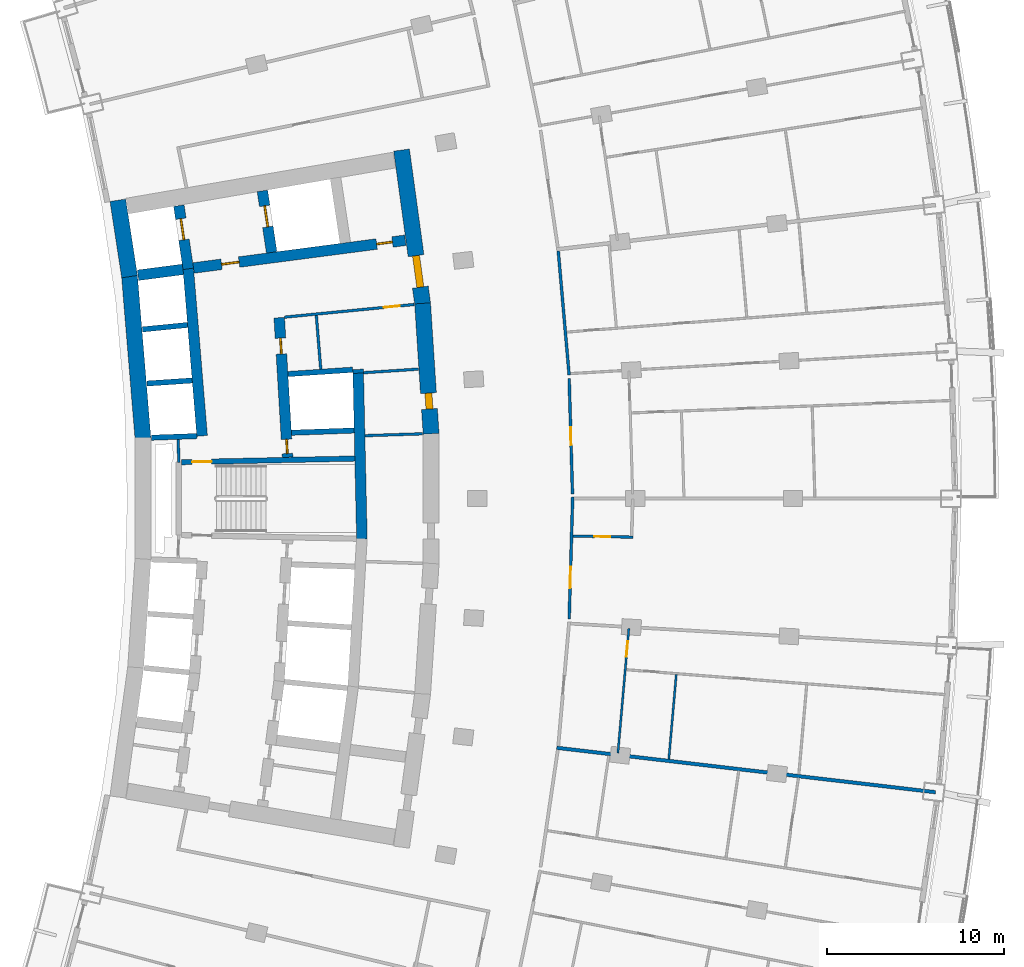
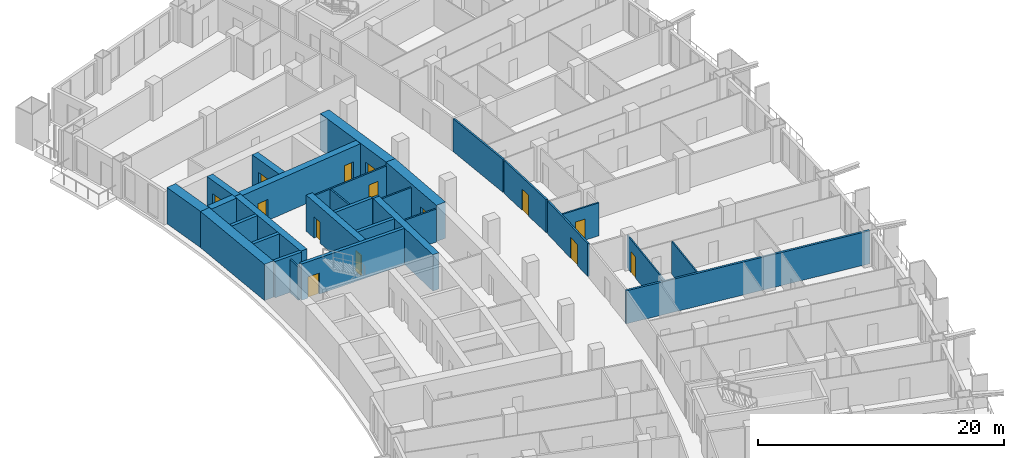
# One storey, part 17 of 25: 30 walls, 14 doors, 14 openings.
"""IFC4 building model written with IfcOpenShell, lengths in metres."""

from ifc_helpers import new_model, si_unit, direction, frame, frame_2d, origin, place, context, subcontext, project, spatial, rectangle, extrude, material, layer, layer_set, type_object, element, fill, save


model = new_model("IFC4")

# Units and contexts
model_context = context("Model", 3, precision=1e-05, world=origin(), true_north=direction((0.0, 1.0)))
body_context = subcontext(model_context, "Body", "Model", "MODEL_VIEW")
ifc_project = project(units=[si_unit("LENGTHUNIT", "METRE"), si_unit("AREAUNIT", "SQUARE_METRE"), si_unit("VOLUMEUNIT", "CUBIC_METRE"), si_unit("PLANEANGLEUNIT", "RADIAN"), si_unit("MASSUNIT", "GRAM", prefix="KILO")], contexts=[model_context])

# Site, building, storey
site_placement = place(None, origin())
site = spatial("IfcSite", under=ifc_project, at=site_placement, CompositionType="ELEMENT")
building_placement = place(site_placement, origin())
building = spatial("IfcBuilding", under=site, at=building_placement, Name="Alderwake Tower", CompositionType="ELEMENT")
storey_placement = place(building_placement, frame((0.0, 0.0, 57.199951171875)))
storey = spatial("IfcBuildingStorey", under=building, at=storey_placement, Name="L13", CompositionType="ELEMENT", Elevation=57.199951171875)

# Walls
ifc_material_1 = material(Name="Gypsum shaft wall system, rated")
ifc_layer_1 = layer(ifc_material_1, 0.14990234375)
ifc_layer_set_1 = layer_set([ifc_layer_1], Name="Core room partition 150")
wall_type_1 = type_object("IfcWallType", Name="Core room partition 150", PredefinedType="PARTITIONING", material=ifc_layer_set_1)
wall_1_placement = place(storey_placement, frame((18.918701171875, 63.05517578125, 0.0), z_axis=(0.0, 0.0, 1.0), x_axis=(-0.027327648352, 0.999626530078, 0.0)))
element("IfcWall", 1, at=wall_1_placement, inside=storey, type_object=wall_type_1, Name="CW/L13/PA+24_+22", PredefinedType="PARTITIONING", context=body_context, shape_type="SweptSolid", body=[
    extrude(rectangle(XDim=1.29541015625, YDim=0.14990234375, at=frame_2d((0.647705078125, 0.0))), origin(), (0.0, 0.0, 1.0), 3.280029296875),
])
wall_2_placement = place(storey_placement, frame((26.94970703125, 68.3203125, 0.0), z_axis=(0.0, 0.0, 1.0), x_axis=(-0.082463525817, 0.996594083321, 0.0)))
element("IfcWall", 2, at=wall_2_placement, inside=storey, type_object=wall_type_1, Name="CW/L13/PA+107_+70", PredefinedType="PARTITIONING", context=body_context, shape_type="SweptSolid", body=[
    extrude(rectangle(XDim=3.055419921875, YDim=0.14990234375, at=frame_2d((1.52783203125, 0.0))), origin(), (0.0, 0.0, 1.0), 3.280029296875),
])
wall_3_placement = place(storey_placement, frame((29.447509765625, 64.559814453125, 0.0), z_axis=(0.0, 0.0, 1.0), x_axis=(0.999470664956, 0.032532904763, 0.0)))
element("IfcWall", 3, at=wall_3_placement, inside=storey, type_object=wall_type_1, Name="CW/L13/PR+34_+128", PredefinedType="PARTITIONING", context=body_context, shape_type="SweptSolid", body=[
    extrude(rectangle(XDim=3.264404296875, YDim=0.14990234375, at=frame_2d((1.63232421875, 0.0))), origin(), (0.0, 0.0, 1.0), 3.280029296875),
])
wall_4_placement = place(storey_placement, frame((29.36865234375, 68.1220703125, 0.0), z_axis=(0.0, 0.0, 1.0), x_axis=(0.997885090452, 0.065002663433, 0.0)))
element("IfcWall", 4, at=wall_4_placement, inside=storey, type_object=wall_type_1, Name="CW/L13/PR+68_+128", PredefinedType="PARTITIONING", context=body_context, shape_type="SweptSolid", body=[
    extrude(rectangle(XDim=3.10986328125, YDim=0.14990234375, at=frame_2d((1.554931640625, 0.0))), origin(), (0.0, 0.0, 1.0), 3.280029296875),
])

# Wall, opening, door
wall_5_placement = place(storey_placement, frame((32.233642578125, 71.982177734375, 0.0), z_axis=(0.0, 0.0, 1.0), x_axis=(-0.995245540971, -0.097397706226, 0.0)))
wall_5 = element("IfcWall", 5, at=wall_5_placement, inside=storey, type_object=wall_type_1, Name="CW/L13/PR+102_+86", PredefinedType="PARTITIONING", context=body_context, shape_type="SweptSolid", body=[
    extrude(rectangle(XDim=7.36962890625, YDim=0.14990234375, at=frame_2d((3.684814453125, 0.0))), origin(), (0.0, 0.0, 1.0), 3.280029296875),
])
opening_1_placement = place(wall_5_placement, frame((0.819580078125, 0.0, 0.0)))
opening_1 = element("IfcOpeningElement", 6, at=opening_1_placement, cuts=wall_5, Name="Opening C021", PredefinedType="OPENING", context=body_context, shape_type="SweptSolid", body=[
    extrude(rectangle(XDim=0.89990234375, YDim=2.10009765625, at=frame_2d((0.449951171875, 1.050048828125))), frame((0.0, 0.0849609375, 0.0), z_axis=(0.0, -1.0, 0.0), x_axis=(1.0, 0.0, 0.0)), (0.0, 0.0, 1.0), 0.169921875),
])
ifc_material_2 = material(Name="Painted steel leaf", Category="steel")
door_type_1 = type_object("IfcDoorType", Name="Core room door 900", OperationType="SINGLE_SWING_LEFT", PredefinedType="DOOR", material=ifc_material_2)
door_1_placement = place(opening_1_placement, origin())
door_1 = element("IfcDoor", 7, at=door_1_placement, inside=storey, type_object=door_type_1, Name="Room door", OperationType="SINGLE_SWING_RIGHT", OverallHeight=2.10009765625, OverallWidth=0.89990234375, PredefinedType="DOOR", context=body_context, shape_type="SweptSolid", body=[
    extrude(rectangle(XDim=0.89990234375, YDim=2.10009765625, at=frame_2d((0.449951171875, 1.050048828125))), frame((0.0, 0.02490234375, 0.0), z_axis=(0.0, -1.0, 0.0), x_axis=(1.0, 0.0, 0.0)), (0.0, 0.0, 1.0), 0.050048828125),
])
fill(opening_1, door_1)

# Walls
ifc_material_3 = material(Name="Concrete C70/85", Category="concrete")
ifc_layer_2 = layer(ifc_material_3, 0.89990234375)
ifc_layer_set_2 = layer_set([ifc_layer_2], Name="Core wall outer 900 C70-85")
wall_type_2 = type_object("IfcWallType", Name="Core wall outer 900 C70-85", PredefinedType="SHEAR", material=ifc_layer_set_2)
wall_6_placement = place(storey_placement, frame((16.890869140625, 64.41064453125, 0.0), z_axis=(0.0, 0.0, 1.0), x_axis=(-0.082624275373, 0.996580768989, 0.0)))
element("IfcWall", 8, at=wall_6_placement, inside=storey, type_object=wall_type_2, Name="Core wall CW.040", PredefinedType="SHEAR", context=body_context, shape_type="SweptSolid", body=[
    extrude(rectangle(XDim=9.210205078125, YDim=0.89990234375, at=frame_2d((4.60498046875, 0.0))), origin(), (0.0, 0.0, 1.0), 3.60009765625),
])
wall_7_placement = place(storey_placement, frame((16.1337890625, 73.557373046875, 0.0), z_axis=(0.0, 0.0, 1.0), x_axis=(-0.151956504286, 0.988387181627, 0.0)))
element("IfcWall", 9, at=wall_7_placement, inside=storey, type_object=wall_type_2, Name="Core wall CW.039", PredefinedType="SHEAR", context=body_context, shape_type="SweptSolid", body=[
    extrude(rectangle(XDim=4.373291015625, YDim=0.89990234375, at=frame_2d((2.1865234375, 0.0))), origin(), (0.0, 0.0, 1.0), 3.60009765625),
])

# Wall, opening, door
wall_8_placement = place(storey_placement, frame((32.710693359375, 72.04541015625, 0.0), z_axis=(0.0, 0.0, 1.0), x_axis=(0.064976219143, -0.997886812693, 0.0)))
wall_8 = element("IfcWall", 10, at=wall_8_placement, inside=storey, type_object=wall_type_2, Name="Core wall CW.010", PredefinedType="SHEAR", context=body_context, shape_type="SweptSolid", body=[
    extrude(rectangle(XDim=7.39453125, YDim=0.89990234375, at=frame_2d((3.697265625, 0.0))), origin(), (0.0, 0.0, 1.0), 3.60009765625),
])
opening_2_placement = place(wall_8_placement, frame((5.089111328125, 0.0, 0.0)))
opening_2 = element("IfcOpeningElement", 11, at=opening_2_placement, cuts=wall_8, Name="Opening C035", PredefinedType="OPENING", context=body_context, shape_type="SweptSolid", body=[
    extrude(rectangle(XDim=0.89990234375, YDim=2.10009765625, at=frame_2d((0.449951171875, 1.050048828125))), frame((0.0, 0.4599609375, 0.0), z_axis=(0.0, -1.0, 0.0), x_axis=(1.0, 0.0, 0.0)), (0.0, 0.0, 1.0), 0.919921875),
])
door_2_placement = place(opening_2_placement, origin())
door_2 = element("IfcDoor", 12, at=door_2_placement, inside=storey, type_object=door_type_1, Name="Room door", OperationType="SINGLE_SWING_RIGHT", OverallHeight=2.10009765625, OverallWidth=0.89990234375, PredefinedType="DOOR", context=body_context, shape_type="SweptSolid", body=[
    extrude(rectangle(XDim=0.89990234375, YDim=2.10009765625, at=frame_2d((0.449951171875, 1.050048828125))), frame((0.0, 0.199951171875, 0.0), z_axis=(0.0, -1.0, 0.0), x_axis=(1.0, 0.0, 0.0)), (0.0, 0.0, 1.0), 0.39990234375),
])
fill(opening_2, door_2)

wall_9_placement = place(storey_placement, frame((31.520263671875, 80.7177734375, 0.0), z_axis=(0.0, 0.0, 1.0), x_axis=(0.135844728876, -0.990730139663, 0.0)))
wall_9 = element("IfcWall", 13, at=wall_9_placement, inside=storey, type_object=wall_type_2, Name="Core wall CW.009", PredefinedType="SHEAR", context=body_context, shape_type="SweptSolid", body=[
    extrude(rectangle(XDim=8.78662109375, YDim=0.89990234375, at=frame_2d((4.393310546875, 0.0))), origin(), (0.0, 0.0, 1.0), 3.60009765625),
])
opening_3_placement = place(wall_9_placement, frame((6.02978515625, 0.0, 0.0)))
opening_3 = element("IfcOpeningElement", 14, at=opening_3_placement, cuts=wall_9, Name="Opening C001", PredefinedType="OPENING", context=body_context, shape_type="SweptSolid", body=[
    extrude(rectangle(XDim=1.800048828125, YDim=2.10009765625, at=frame_2d((0.89990234375, 1.050048828125))), frame((0.0, 0.4599609375, 0.0), z_axis=(0.0, -1.0, 0.0), x_axis=(1.0, 0.0, 0.0)), (0.0, 0.0, 1.0), 0.919921875),
])
ifc_material_4 = material(Name="Steel-framed fire door leaves", Category="steel")
door_type_2 = type_object("IfcDoorType", Name="Core double door 1800 fire-rated", OperationType="DOUBLE_DOOR_SINGLE_SWING", PredefinedType="DOOR", material=ifc_material_4)
door_3_placement = place(opening_3_placement, origin())
door_3 = element("IfcDoor", 15, at=door_3_placement, inside=storey, type_object=door_type_2, Name="Lobby double door", OperationType="DOUBLE_DOOR_SINGLE_SWING", OverallHeight=2.10009765625, OverallWidth=1.800048828125, PredefinedType="DOOR", context=body_context, shape_type="SweptSolid", body=[
    extrude(rectangle(XDim=1.800048828125, YDim=2.10009765625, at=frame_2d((0.89990234375, 1.050048828125))), frame((0.0, 0.199951171875, 0.0), z_axis=(0.0, -1.0, 0.0), x_axis=(1.0, 0.0, 0.0)), (0.0, 0.0, 1.0), 0.39990234375),
])
fill(opening_3, door_3)

# Walls
ifc_material_5 = material(Name="Concrete C70/85", Category="concrete")
ifc_layer_3 = layer(ifc_material_5, 0.300048828125)
ifc_layer_set_3 = layer_set([ifc_layer_3], Name="Core wall shaft 300 C70-85")
wall_type_3 = type_object("IfcWallType", Name="Core wall shaft 300 C70-85", PredefinedType="SHEAR", material=ifc_layer_set_3)
wall_10_placement = place(storey_placement, frame((17.369384765625, 64.446533203125, 0.0), z_axis=(0.0, 0.0, 1.0), x_axis=(0.999371660382, 0.035444102817, 0.0)))
element("IfcWall", 16, at=wall_10_placement, inside=storey, type_object=wall_type_3, Name="Core wall CW.059", PredefinedType="SHEAR", context=body_context, shape_type="SweptSolid", body=[
    extrude(rectangle(XDim=2.5693359375, YDim=0.300048828125, at=frame_2d((1.28466796875, 0.0))), origin(), (0.0, 0.0, 1.0), 3.60009765625),
])
wall_11_placement = place(storey_placement, frame((25.291259765625, 64.72705078125, 0.0), z_axis=(0.0, 0.0, 1.0), x_axis=(0.999373231824, 0.035399767136, 0.0)))
element("IfcWall", 17, at=wall_11_placement, inside=storey, type_object=wall_type_3, Name="Core wall CW.060", PredefinedType="SHEAR", context=body_context, shape_type="SweptSolid", body=[
    extrude(rectangle(XDim=3.5517578125, YDim=0.300048828125, at=frame_2d((1.77587890625, 0.0))), origin(), (0.0, 0.0, 1.0), 3.60009765625),
])
wall_12_placement = place(storey_placement, frame((17.115478515625, 67.510498046875, 0.0), z_axis=(0.0, 0.0, 1.0), x_axis=(0.99775517309, 0.06696726493, 0.0)))
element("IfcWall", 18, at=wall_12_placement, inside=storey, type_object=wall_type_3, Name="Core wall CW.062", PredefinedType="SHEAR", context=body_context, shape_type="SweptSolid", body=[
    extrude(rectangle(XDim=2.566650390625, YDim=0.300048828125, at=frame_2d((1.283203125, 0.0))), origin(), (0.0, 0.0, 1.0), 3.60009765625),
])
wall_13_placement = place(storey_placement, frame((25.09228515625, 68.04541015625, 0.0), z_axis=(0.0, 0.0, 1.0), x_axis=(0.997760375614, 0.066889706642, 0.0)))
element("IfcWall", 19, at=wall_13_placement, inside=storey, type_object=wall_type_3, Name="Core wall CW.063", PredefinedType="SHEAR", context=body_context, shape_type="SweptSolid", body=[
    extrude(rectangle(XDim=3.671875, YDim=0.300048828125, at=frame_2d((1.8359375, 0.0))), origin(), (0.0, 0.0, 1.0), 3.60009765625),
])
wall_14_placement = place(storey_placement, frame((16.86181640625, 70.571533203125, 0.0), z_axis=(0.0, 0.0, 1.0), x_axis=(0.995151424955, 0.098354671516, 0.0)))
element("IfcWall", 20, at=wall_14_placement, inside=storey, type_object=wall_type_3, Name="Core wall CW.050", PredefinedType="SHEAR", context=body_context, shape_type="SweptSolid", body=[
    extrude(rectangle(XDim=2.566650390625, YDim=0.300048828125, at=frame_2d((1.283203125, 0.0))), origin(), (0.0, 0.0, 1.0), 3.60009765625),
])
ifc_material_6 = material(Name="Concrete C70/85", Category="concrete")
ifc_layer_4 = layer(ifc_material_6, 0.60009765625)
ifc_layer_set_4 = layer_set([ifc_layer_4], Name="Core wall spine 600 C70-85")
wall_type_4 = type_object("IfcWallType", Name="Core wall spine 600 C70-85", PredefinedType="SHEAR", material=ifc_layer_set_4)
wall_15_placement = place(storey_placement, frame((20.2373046875, 64.548095703125, 0.0), z_axis=(0.0, 0.0, 1.0), x_axis=(-0.082626598613, 0.996580576372, 0.0)))
element("IfcWall", 21, at=wall_15_placement, inside=storey, type_object=wall_type_4, Name="Core wall CW.031", PredefinedType="SHEAR", context=body_context, shape_type="SweptSolid", body=[
    extrude(rectangle(XDim=9.50244140625, YDim=0.60009765625, at=frame_2d((4.751220703125, 0.0))), origin(), (0.0, 0.0, 1.0), 3.60009765625),
])

# Wall, opening, door
wall_16_placement = place(storey_placement, frame((19.45458984375, 73.99755859375, 0.0), z_axis=(0.0, 0.0, 1.0), x_axis=(-0.147502312715, 0.989061710786, 0.0)))
wall_16 = element("IfcWall", 22, at=wall_16_placement, inside=storey, type_object=wall_type_4, Name="Core wall CW.030", PredefinedType="SHEAR", context=body_context, shape_type="SweptSolid", body=[
    extrude(rectangle(XDim=3.6181640625, YDim=0.60009765625, at=frame_2d((1.80908203125, 0.0))), origin(), (0.0, 0.0, 1.0), 3.60009765625),
])
opening_4_placement = place(wall_16_placement, frame((1.664306640625, 0.0, 0.0)))
opening_4 = element("IfcOpeningElement", 23, at=opening_4_placement, cuts=wall_16, Name="Opening LD-FF1", PredefinedType="OPENING", context=body_context, shape_type="SweptSolid", body=[
    extrude(rectangle(XDim=1.199951171875, YDim=2.300048828125, at=frame_2d((0.60009765625, 1.14990234375))), frame((0.0, 0.31005859375, 0.0), z_axis=(0.0, -1.0, 0.0), x_axis=(1.0, 0.0, 0.0)), (0.0, 0.0, 1.0), 0.6201171875),
])
ifc_material_7 = material(Name="Stainless steel sliding leaf", Category="steel")
door_type_3 = type_object("IfcDoorType", Name="Lift landing door 1200", OperationType="SLIDING_TO_LEFT", PredefinedType="DOOR", material=ifc_material_7)
door_4_placement = place(opening_4_placement, origin())
door_4 = element("IfcDoor", 24, at=door_4_placement, inside=storey, type_object=door_type_3, Name="Lift landing door FF1", OperationType="SLIDING_TO_LEFT", OverallHeight=2.300048828125, OverallWidth=1.199951171875, PredefinedType="DOOR", context=body_context, shape_type="SweptSolid", body=[
    extrude(rectangle(XDim=1.199951171875, YDim=2.300048828125, at=frame_2d((0.60009765625, 1.14990234375))), frame((0.0, 0.050048828125, 0.0), z_axis=(0.0, -1.0, 0.0), x_axis=(1.0, 0.0, 0.0)), (0.0, 0.0, 1.0), 0.10009765625),
])
fill(opening_4, door_4)

# Wall, openings, doors
wall_17_placement = place(storey_placement, frame((25.073974609375, 63.335693359375, 0.0), z_axis=(0.0, 0.0, 1.0), x_axis=(-0.059848641072, 0.998207463487, 0.0)))
wall_17 = element("IfcWall", 25, at=wall_17_placement, inside=storey, type_object=wall_type_4, Name="Core wall CW.045", PredefinedType="SHEAR", context=body_context, shape_type="SweptSolid", body=[
    extrude(rectangle(XDim=7.913818359375, YDim=0.60009765625, at=frame_2d((3.95703125, 0.0))), origin(), (0.0, 0.0, 1.0), 3.60009765625),
])
opening_5_placement = place(wall_17_placement, frame((0.216064453125, 0.0, 0.0)))
opening_5 = element("IfcOpeningElement", 26, at=opening_5_placement, cuts=wall_17, Name="Opening C005", PredefinedType="OPENING", context=body_context, shape_type="SweptSolid", body=[
    extrude(rectangle(XDim=0.800048828125, YDim=2.0, at=frame_2d((0.39990234375, 1.0))), frame((0.0, 0.31005859375, 0.0), z_axis=(0.0, -1.0, 0.0), x_axis=(1.0, 0.0, 0.0)), (0.0, 0.0, 1.0), 0.6201171875),
])
opening_6_placement = place(wall_17_placement, frame((5.856201171875, 0.0, 0.0)))
opening_6 = element("IfcOpeningElement", 27, at=opening_6_placement, cuts=wall_17, Name="Opening C024", PredefinedType="OPENING", context=body_context, shape_type="SweptSolid", body=[
    extrude(rectangle(XDim=0.89990234375, YDim=2.10009765625, at=frame_2d((0.449951171875, 1.050048828125))), frame((0.0, 0.31005859375, 0.0), z_axis=(0.0, -1.0, 0.0), x_axis=(1.0, 0.0, 0.0)), (0.0, 0.0, 1.0), 0.6201171875),
])
door_5_placement = place(opening_6_placement, origin())
door_5 = element("IfcDoor", 28, at=door_5_placement, inside=storey, type_object=door_type_1, Name="Room door", OperationType="SINGLE_SWING_LEFT", OverallHeight=2.10009765625, OverallWidth=0.89990234375, PredefinedType="DOOR", context=body_context, shape_type="SweptSolid", body=[
    extrude(rectangle(XDim=0.89990234375, YDim=2.10009765625, at=frame_2d((0.449951171875, 1.050048828125))), frame((0.0, 0.050048828125, 0.0), z_axis=(0.0, -1.0, 0.0), x_axis=(1.0, 0.0, 0.0)), (0.0, 0.0, 1.0), 0.10009765625),
])
fill(opening_6, door_5)
ifc_material_8 = material(Name="Painted steel leaf, rated", Category="steel")
door_type_4 = type_object("IfcDoorType", Name="Riser access door 800", OperationType="SINGLE_SWING_LEFT", PredefinedType="DOOR", material=ifc_material_8)
door_6_placement = place(opening_5_placement, origin())
door_6 = element("IfcDoor", 29, at=door_6_placement, inside=storey, type_object=door_type_4, Name="Riser access door", OperationType="SINGLE_SWING_LEFT", OverallHeight=2.0, OverallWidth=0.800048828125, PredefinedType="DOOR", context=body_context, shape_type="SweptSolid", body=[
    extrude(rectangle(XDim=0.800048828125, YDim=2.0, at=frame_2d((0.39990234375, 1.0))), frame((0.0, 0.050048828125, 0.0), z_axis=(0.0, -1.0, 0.0), x_axis=(1.0, 0.0, 0.0)), (0.0, 0.0, 1.0), 0.10009765625),
])
fill(opening_5, door_6)

# Wall, opening, door
wall_18_placement = place(storey_placement, frame((24.173095703125, 74.927734375, 0.0), z_axis=(0.0, 0.0, 1.0), x_axis=(-0.14910953086, 0.988820685365, 0.0)))
wall_18 = element("IfcWall", 30, at=wall_18_placement, inside=storey, type_object=wall_type_4, Name="Core wall CW.044", PredefinedType="SHEAR", context=body_context, shape_type="SweptSolid", body=[
    extrude(rectangle(XDim=3.5234375, YDim=0.60009765625, at=frame_2d((1.76171875, 0.0))), origin(), (0.0, 0.0, 1.0), 3.60009765625),
])
opening_7_placement = place(wall_18_placement, frame((1.4619140625, 0.0, 0.0)))
opening_7 = element("IfcOpeningElement", 31, at=opening_7_placement, cuts=wall_18, Name="Opening LD-FF2", PredefinedType="OPENING", context=body_context, shape_type="SweptSolid", body=[
    extrude(rectangle(XDim=1.199951171875, YDim=2.300048828125, at=frame_2d((0.60009765625, 1.14990234375))), frame((0.0, 0.31005859375, 0.0), z_axis=(0.0, -1.0, 0.0), x_axis=(1.0, 0.0, 0.0)), (0.0, 0.0, 1.0), 0.6201171875),
])
door_7_placement = place(opening_7_placement, origin())
door_7 = element("IfcDoor", 32, at=door_7_placement, inside=storey, type_object=door_type_3, Name="Lift landing door FF2", OperationType="SLIDING_TO_LEFT", OverallHeight=2.300048828125, OverallWidth=1.199951171875, PredefinedType="DOOR", context=body_context, shape_type="SweptSolid", body=[
    extrude(rectangle(XDim=1.199951171875, YDim=2.300048828125, at=frame_2d((0.60009765625, 1.14990234375))), frame((0.0, 0.050048828125, 0.0), z_axis=(0.0, -1.0, 0.0), x_axis=(1.0, 0.0, 0.0)), (0.0, 0.0, 1.0), 0.10009765625),
])
fill(opening_7, door_7)

# Walls
wall_19_placement = place(storey_placement, frame((29.276611328125, 58.714111328125, 0.0), z_axis=(0.0, 0.0, 1.0), x_axis=(-0.022107681417, 0.999755595344, 0.0)))
element("IfcWall", 33, at=wall_19_placement, inside=storey, type_object=wall_type_4, Name="Core wall CW.007", PredefinedType="SHEAR", context=body_context, shape_type="SweptSolid", body=[
    extrude(rectangle(XDim=9.397705078125, YDim=0.60009765625, at=frame_2d((4.69873046875, 0.0))), origin(), (0.0, 0.0, 1.0), 3.60009765625),
])
wall_20_placement = place(storey_placement, frame((29.069580078125, 68.095458984375, 0.0), z_axis=(0.0, 0.0, 1.0), x_axis=(-0.066669007539, 0.997775146731, 0.0)))
element("IfcWall", 34, at=wall_20_placement, inside=storey, type_object=wall_type_4, Name="Core wall CW.003", PredefinedType="SHEAR", context=body_context, shape_type="SweptSolid", body=[
    extrude(rectangle(XDim=0.216064453125, YDim=0.60009765625, at=frame_2d((0.10791015625, 0.0))), origin(), (0.0, 0.0, 1.0), 3.60009765625),
])
wall_21_placement = place(storey_placement, frame((16.607666015625, 73.635498046875, 0.0), z_axis=(0.0, 0.0, 1.0), x_axis=(0.991551057449, 0.129717001478, 0.0)))
element("IfcWall", 35, at=wall_21_placement, inside=storey, type_object=wall_type_4, Name="Core wall CW.051", PredefinedType="SHEAR", context=body_context, shape_type="SweptSolid", body=[
    extrude(rectangle(XDim=2.569091796875, YDim=0.60009765625, at=frame_2d((1.28466796875, 0.0))), origin(), (0.0, 0.0, 1.0), 3.60009765625),
])

# Wall, openings, doors
wall_22_placement = place(storey_placement, frame((31.735595703125, 75.6142578125, 0.0), z_axis=(0.0, 0.0, 1.0), x_axis=(-0.991553829991, -0.129695806526, 0.0)))
wall_22 = element("IfcWall", 36, at=wall_22_placement, inside=storey, type_object=wall_type_4, Name="Core wall CW.052", PredefinedType="SHEAR", context=body_context, shape_type="SweptSolid", body=[
    extrude(rectangle(XDim=12.0869140625, YDim=0.60009765625, at=frame_2d((6.04345703125, 0.0))), origin(), (0.0, 0.0, 1.0), 3.60009765625),
])
opening_8_placement = place(wall_22_placement, frame((9.4873046875, 0.0, 0.0)))
opening_8 = element("IfcOpeningElement", 37, at=opening_8_placement, cuts=wall_22, Name="Opening C002", PredefinedType="OPENING", context=body_context, shape_type="SweptSolid", body=[
    extrude(rectangle(XDim=1.0, YDim=2.10009765625, at=frame_2d((0.5, 1.050048828125))), frame((0.0, 0.31005859375, 0.0), z_axis=(0.0, -1.0, 0.0), x_axis=(1.0, 0.0, 0.0)), (0.0, 0.0, 1.0), 0.6201171875),
])
opening_9_placement = place(wall_22_placement, frame((0.7373046875, 0.0, 0.0)))
opening_9 = element("IfcOpeningElement", 38, at=opening_9_placement, cuts=wall_22, Name="Opening C020", PredefinedType="OPENING", context=body_context, shape_type="SweptSolid", body=[
    extrude(rectangle(XDim=0.89990234375, YDim=2.10009765625, at=frame_2d((0.449951171875, 1.050048828125))), frame((0.0, 0.31005859375, 0.0), z_axis=(0.0, -1.0, 0.0), x_axis=(1.0, 0.0, 0.0)), (0.0, 0.0, 1.0), 0.6201171875),
])
door_8_placement = place(opening_9_placement, origin())
door_8 = element("IfcDoor", 39, at=door_8_placement, inside=storey, type_object=door_type_1, Name="Room door", OperationType="SINGLE_SWING_LEFT", OverallHeight=2.10009765625, OverallWidth=0.89990234375, PredefinedType="DOOR", context=body_context, shape_type="SweptSolid", body=[
    extrude(rectangle(XDim=0.89990234375, YDim=2.10009765625, at=frame_2d((0.449951171875, 1.050048828125))), frame((0.0, 0.050048828125, 0.0), z_axis=(0.0, -1.0, 0.0), x_axis=(1.0, 0.0, 0.0)), (0.0, 0.0, 1.0), 0.10009765625),
])
fill(opening_9, door_8)
ifc_material_9 = material(Name="Steel-framed fire door leaf", Category="steel")
door_type_5 = type_object("IfcDoorType", Name="Firefighting lobby door 1000 fire-rated", OperationType="SINGLE_SWING_LEFT", PredefinedType="DOOR", material=ifc_material_9)
door_9_placement = place(opening_8_placement, origin())
door_9 = element("IfcDoor", 40, at=door_9_placement, inside=storey, type_object=door_type_5, Name="Firefighting lobby door", OperationType="SINGLE_SWING_RIGHT", OverallHeight=2.10009765625, OverallWidth=1.0, PredefinedType="DOOR", context=body_context, shape_type="SweptSolid", body=[
    extrude(rectangle(XDim=1.0, YDim=2.10009765625, at=frame_2d((0.5, 1.050048828125))), frame((0.0, 0.050048828125, 0.0), z_axis=(0.0, -1.0, 0.0), x_axis=(1.0, 0.0, 0.0)), (0.0, 0.0, 1.0), 0.10009765625),
])
fill(opening_8, door_9)

# Wall, opening, door
ifc_material_10 = material(Name="Concrete C70/85", Category="concrete")
ifc_layer_5 = layer(ifc_material_10, 0.300048828125)
ifc_layer_set_5 = layer_set([ifc_layer_5], Name="Core wall stair enclosure 300 C70-85")
wall_type_5 = type_object("IfcWallType", Name="Core wall stair enclosure 300 C70-85", PredefinedType="SHEAR", material=ifc_layer_set_5)
wall_23_placement = place(storey_placement, frame((19.068603515625, 63.060791015625, 0.0), z_axis=(0.0, 0.0, 1.0), x_axis=(0.999783520771, 0.020806527678, 0.0)))
wall_23 = element("IfcWall", 41, at=wall_23_placement, inside=storey, type_object=wall_type_5, Name="Core wall CW.057", PredefinedType="SHEAR", context=body_context, shape_type="SweptSolid", body=[
    extrude(rectangle(XDim=9.8095703125, YDim=0.300048828125, at=frame_2d((4.90478515625, 0.0))), origin(), (0.0, 0.0, 1.0), 3.60009765625),
])
opening_10_placement = place(wall_23_placement, frame((0.60009765625, 0.0, 0.0)))
opening_10 = element("IfcOpeningElement", 42, at=opening_10_placement, cuts=wall_23, Name="Opening C064", PredefinedType="OPENING", context=body_context, shape_type="SweptSolid", body=[
    extrude(rectangle(XDim=1.10009765625, YDim=2.10009765625, at=frame_2d((0.550048828125, 1.050048828125))), frame((0.0, 0.159912109375, 0.0), z_axis=(0.0, -1.0, 0.0), x_axis=(1.0, 0.0, 0.0)), (0.0, 0.0, 1.0), 0.320068359375),
])
ifc_material_11 = material(Name="Steel-framed fire door leaf", Category="steel")
door_type_6 = type_object("IfcDoorType", Name="Core stair door 1100 fire-rated", OperationType="SINGLE_SWING_LEFT", PredefinedType="DOOR", material=ifc_material_11)
door_10_placement = place(opening_10_placement, origin())
door_10 = element("IfcDoor", 43, at=door_10_placement, inside=storey, type_object=door_type_6, Name="Stair door", OperationType="SINGLE_SWING_LEFT", OverallHeight=2.10009765625, OverallWidth=1.10009765625, PredefinedType="DOOR", context=body_context, shape_type="SweptSolid", body=[
    extrude(rectangle(XDim=1.10009765625, YDim=2.10009765625, at=frame_2d((0.550048828125, 1.050048828125))), frame((0.0, 0.02490234375, 0.0), z_axis=(0.0, -1.0, 0.0), x_axis=(1.0, 0.0, 0.0)), (0.0, 0.0, 1.0), 0.050048828125),
])
fill(opening_10, door_10)

ifc_material_12 = material(Name="Gypsum board on metal studs, rated")
ifc_layer_6 = layer(ifc_material_12, 0.159912109375)
ifc_layer_set_6 = layer_set([ifc_layer_6], Name="Corridor wall 160")
wall_type_6 = type_object("IfcWallType", Name="Corridor wall 160", PredefinedType="PARTITIONING", material=ifc_layer_set_6)
wall_24_placement = place(storey_placement, frame((41.201416015625, 61.0791015625, 0.0), z_axis=(0.0, 0.0, 1.0), x_axis=(-0.028879835058, -0.999582890573, 0.0)))
wall_24 = element("IfcWall", 44, at=wall_24_placement, inside=storey, type_object=wall_type_6, Name="WL/L13/W36", PredefinedType="PARTITIONING", context=body_context, shape_type="SweptSolid", body=[
    extrude(rectangle(XDim=6.88134765625, YDim=0.159912109375, at=frame_2d((3.440673828125, 0.0))), origin(), (0.0, 0.0, 1.0), 3.280029296875),
])
opening_11_placement = place(wall_24_placement, frame((3.9404296875, 0.0, 0.0)))
opening_11 = element("IfcOpeningElement", 45, at=opening_11_placement, cuts=wall_24, Name="Opening R03-AM1.1", PredefinedType="OPENING", context=body_context, shape_type="SweptSolid", body=[
    extrude(rectangle(XDim=1.199951171875, YDim=2.10009765625, at=frame_2d((0.60009765625, 1.050048828125))), frame((0.0, 0.08984375, 0.0), z_axis=(0.0, -1.0, 0.0), x_axis=(1.0, 0.0, 0.0)), (0.0, 0.0, 1.0), 0.179931640625),
])
ifc_material_13 = material(Name="Steel-framed fire door leaf", Category="steel")
door_type_7 = type_object("IfcDoorType", Name="Lobby door 1200 fire-rated", OperationType="SINGLE_SWING_LEFT", PredefinedType="DOOR", material=ifc_material_13)
door_11_placement = place(opening_11_placement, origin())
door_11 = element("IfcDoor", 46, at=door_11_placement, inside=storey, type_object=door_type_7, Name="DR/L13/AM1.1", OperationType="SINGLE_SWING_LEFT", OverallHeight=2.10009765625, OverallWidth=1.199951171875, PredefinedType="DOOR", context=body_context, shape_type="SweptSolid", body=[
    extrude(rectangle(XDim=1.199951171875, YDim=2.10009765625, at=frame_2d((0.60009765625, 1.050048828125))), frame((0.0, 0.02490234375, 0.0), z_axis=(0.0, -1.0, 0.0), x_axis=(1.0, 0.0, 0.0)), (0.0, 0.0, 1.0), 0.050048828125),
])
fill(opening_11, door_11)

# Wall
wall_25_placement = place(storey_placement, frame((41.001953125, 67.9873046875, 0.0), z_axis=(0.0, 0.0, 1.0), x_axis=(-0.087430787456, 0.996170596537, 0.0)))
element("IfcWall", 47, at=wall_25_placement, inside=storey, type_object=wall_type_6, Name="WL/L13/W37", PredefinedType="PARTITIONING", context=body_context, shape_type="SweptSolid", body=[
    extrude(rectangle(XDim=7.048095703125, YDim=0.159912109375, at=frame_2d((3.52392578125, 0.0))), origin(), (0.0, 0.0, 1.0), 3.280029296875),
])

# Wall, opening, door
wall_26_placement = place(storey_placement, frame((41.002685546875, 67.80029296875, 0.0), z_axis=(0.0, 0.0, 1.0), x_axis=(0.02886788617, -0.999583235728, 0.0)))
wall_26 = element("IfcWall", 48, at=wall_26_placement, inside=storey, type_object=wall_type_6, Name="WL/L13/W38", PredefinedType="PARTITIONING", context=body_context, shape_type="SweptSolid", body=[
    extrude(rectangle(XDim=6.537353515625, YDim=0.159912109375, at=frame_2d((3.2685546875, 0.0))), origin(), (0.0, 0.0, 1.0), 3.280029296875),
])
opening_12_placement = place(wall_26_placement, frame((2.768798828125, 0.0, 0.0)))
opening_12 = element("IfcOpeningElement", 49, at=opening_12_placement, cuts=wall_26, Name="Opening R03-U07.2", PredefinedType="OPENING", context=body_context, shape_type="SweptSolid", body=[
    extrude(rectangle(XDim=1.0, YDim=2.10009765625, at=frame_2d((0.5, 1.050048828125))), frame((0.0, 0.08984375, 0.0), z_axis=(0.0, -1.0, 0.0), x_axis=(1.0, 0.0, 0.0)), (0.0, 0.0, 1.0), 0.179931640625),
])
ifc_material_14 = material(Name="Solid timber leaf in steel frame", Category="steel")
door_type_8 = type_object("IfcDoorType", Name="Flat entrance door 1000 fire-rated", OperationType="SINGLE_SWING_LEFT", PredefinedType="DOOR", material=ifc_material_14)
door_12_placement = place(opening_12_placement, origin())
door_12 = element("IfcDoor", 50, at=door_12_placement, inside=storey, type_object=door_type_8, Name="DR/L13/U07.2", OperationType="SINGLE_SWING_LEFT", OverallHeight=2.10009765625, OverallWidth=1.0, PredefinedType="DOOR", context=body_context, shape_type="SweptSolid", body=[
    extrude(rectangle(XDim=1.0, YDim=2.10009765625, at=frame_2d((0.5, 1.050048828125))), frame((0.0, 0.02490234375, 0.0), z_axis=(0.0, -1.0, 0.0), x_axis=(1.0, 0.0, 0.0)), (0.0, 0.0, 1.0), 0.050048828125),
])
fill(opening_12, door_12)

# Wall
ifc_material_15 = material(Name="Dense block masonry wall", Category="masonry")
ifc_layer_7 = layer(ifc_material_15, 0.199951171875)
ifc_layer_set_7 = layer_set([ifc_layer_7], Name="Party wall 200")
wall_type_7 = type_object("IfcWallType", Name="Party wall 200", PredefinedType="SOLIDWALL", material=ifc_layer_set_7)
wall_27_placement = place(storey_placement, frame((40.297607421875, 46.90234375, 0.0), z_axis=(0.0, 0.0, 1.0), x_axis=(0.99318908438, -0.116513701633, 0.0)))
element("IfcWall", 51, at=wall_27_placement, inside=storey, type_object=wall_type_7, Name="WL/L13/W06", PredefinedType="SOLIDWALL", context=body_context, shape_type="SweptSolid", body=[
    extrude(rectangle(XDim=21.580322265625, YDim=0.199951171875, at=frame_2d((10.7900390625, 0.0))), origin(), (0.0, 0.0, 1.0), 3.280029296875),
])

# Wall, opening, door
ifc_material_16 = material(Name="Gypsum shaft wall system, rated")
ifc_layer_8 = layer(ifc_material_16, 0.14990234375)
ifc_layer_set_8 = layer_set([ifc_layer_8], Name="Riser and shaft wall 150")
wall_type_8 = type_object("IfcWallType", Name="Riser and shaft wall 150", PredefinedType="PARTITIONING", material=ifc_layer_set_8)
wall_28_placement = place(storey_placement, frame((41.218994140625, 58.879638671875, 0.0), z_axis=(0.0, 0.0, 1.0), x_axis=(0.999843204507, -0.017707806214, 0.0)))
wall_28 = element("IfcWall", 52, at=wall_28_placement, inside=storey, type_object=wall_type_8, Name="WL/L13/W11", PredefinedType="PARTITIONING", context=body_context, shape_type="SweptSolid", body=[
    extrude(rectangle(XDim=3.3916015625, YDim=0.14990234375, at=frame_2d((1.69580078125, 0.0))), origin(), (0.0, 0.0, 1.0), 3.280029296875),
])
opening_13_placement = place(wall_28_placement, frame((1.208984375, 0.0, 0.0)))
opening_13 = element("IfcOpeningElement", 53, at=opening_13_placement, cuts=wall_28, Name="Opening R03-AM1.2", PredefinedType="OPENING", context=body_context, shape_type="SweptSolid", body=[
    extrude(rectangle(XDim=0.89990234375, YDim=2.10009765625, at=frame_2d((0.449951171875, 1.050048828125))), frame((0.0, 0.0849609375, 0.0), z_axis=(0.0, -1.0, 0.0), x_axis=(1.0, 0.0, 0.0)), (0.0, 0.0, 1.0), 0.169921875),
])
ifc_material_17 = material(Name="Painted timber leaf", Category="wood")
door_type_9 = type_object("IfcDoorType", Name="Room door 900", OperationType="SINGLE_SWING_LEFT", PredefinedType="DOOR", material=ifc_material_17)
door_13_placement = place(opening_13_placement, origin())
door_13 = element("IfcDoor", 54, at=door_13_placement, inside=storey, type_object=door_type_9, Name="DR/L13/AM1.2", OperationType="SINGLE_SWING_LEFT", OverallHeight=2.10009765625, OverallWidth=0.89990234375, PredefinedType="DOOR", context=body_context, shape_type="SweptSolid", body=[
    extrude(rectangle(XDim=0.89990234375, YDim=2.10009765625, at=frame_2d((0.449951171875, 1.050048828125))), frame((0.0, 0.02490234375, 0.0), z_axis=(0.0, -1.0, 0.0), x_axis=(1.0, 0.0, 0.0)), (0.0, 0.0, 1.0), 0.050048828125),
])
fill(opening_13, door_13)

ifc_material_18 = material(Name="Moisture resistant gypsum board on metal studs")
ifc_layer_9 = layer(ifc_material_18, 0.1201171875)
ifc_layer_set_9 = layer_set([ifc_layer_9], Name="Wet room partition 120")
wall_type_9 = type_object("IfcWallType", Name="Wet room partition 120", PredefinedType="PARTITIONING", material=ifc_layer_set_9)
wall_29_placement = place(storey_placement, frame((44.381103515625, 53.65625, 0.0), z_axis=(0.0, 0.0, 1.0), x_axis=(-0.087537888568, -0.996161190805, 0.0)))
wall_29 = element("IfcWall", 55, at=wall_29_placement, inside=storey, type_object=wall_type_9, Name="WL/L13/W57", PredefinedType="PARTITIONING", context=body_context, shape_type="SweptSolid", body=[
    extrude(rectangle(XDim=7.086669921875, YDim=0.1201171875, at=frame_2d((3.54345703125, 0.0))), origin(), (0.0, 0.0, 1.0), 3.280029296875),
])
opening_14_placement = place(wall_29_placement, frame((0.72119140625, 0.0, 0.0)))
opening_14 = element("IfcOpeningElement", 56, at=opening_14_placement, cuts=wall_29, Name="Opening R03-U06.3", PredefinedType="OPENING", context=body_context, shape_type="SweptSolid", body=[
    extrude(rectangle(XDim=0.89990234375, YDim=2.10009765625, at=frame_2d((0.449951171875, 1.050048828125))), frame((0.0, 0.070068359375, 0.0), z_axis=(0.0, -1.0, 0.0), x_axis=(1.0, 0.0, 0.0)), (0.0, 0.0, 1.0), 0.14013671875),
])
door_14_placement = place(opening_14_placement, origin())
door_14 = element("IfcDoor", 57, at=door_14_placement, inside=storey, type_object=door_type_9, Name="DR/L13/U06.3", OperationType="SINGLE_SWING_LEFT", OverallHeight=2.10009765625, OverallWidth=0.89990234375, PredefinedType="DOOR", context=body_context, shape_type="SweptSolid", body=[
    extrude(rectangle(XDim=0.89990234375, YDim=2.10009765625, at=frame_2d((0.449951171875, 1.050048828125))), frame((0.0, 0.02490234375, 0.0), z_axis=(0.0, -1.0, 0.0), x_axis=(1.0, 0.0, 0.0)), (0.0, 0.0, 1.0), 0.050048828125),
])
fill(opening_14, door_14)

# Wall
wall_30_placement = place(storey_placement, frame((46.640869140625, 46.2578125, 0.0), z_axis=(0.0, 0.0, 1.0), x_axis=(0.087714452347, 0.996145659454, 0.0)))
element("IfcWall", 58, at=wall_30_placement, inside=storey, type_object=wall_type_9, Name="WL/L13/W61", PredefinedType="PARTITIONING", context=body_context, shape_type="SweptSolid", body=[
    extrude(rectangle(XDim=4.806884765625, YDim=0.1201171875, at=frame_2d((2.4033203125, 0.0))), origin(), (0.0, 0.0, 1.0), 3.280029296875),
])

save(model, "model.ifc")
